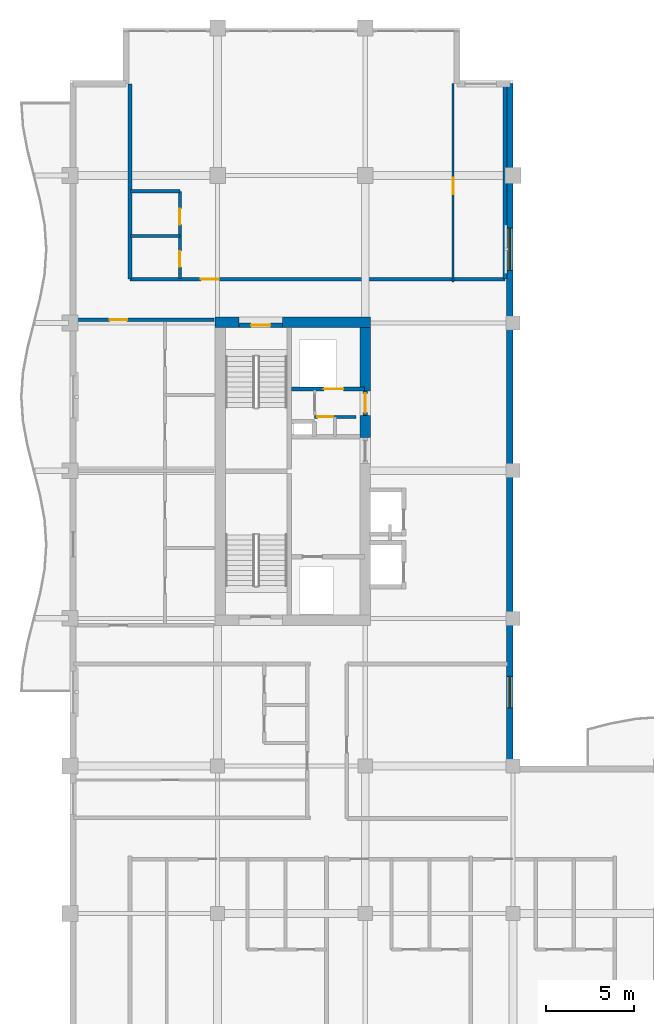
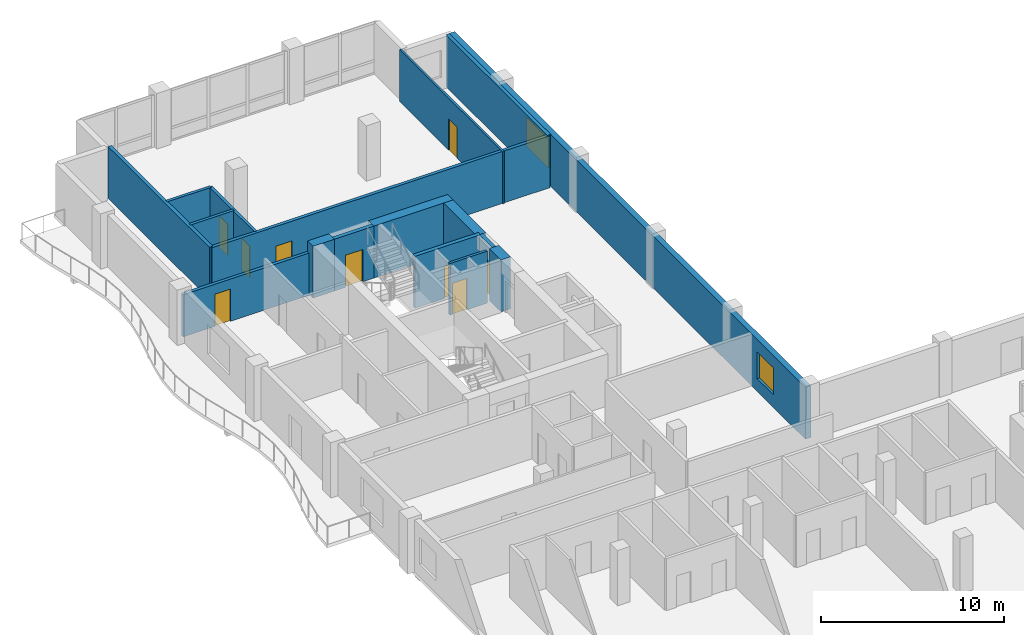
# One storey, part 10 of 16: 17 walls, 9 doors, 2 windows, 11 openings.
"""IFC4 building model written with IfcOpenShell, lengths in metres."""

from ifc_helpers import new_model, si_unit, direction, frame, frame_2d, origin, place, context, subcontext, project, spatial, rectangle, extrude, material, layer, layer_set, type_object, element, fill, save


model = new_model("IFC4")

# Units and contexts
model_context = context("Model", 3, precision=1e-05, world=origin(), true_north=direction((0.0, 1.0)))
body_context = subcontext(model_context, "Body", "Model", "MODEL_VIEW")
ifc_project = project(units=[si_unit("LENGTHUNIT", "METRE"), si_unit("AREAUNIT", "SQUARE_METRE"), si_unit("VOLUMEUNIT", "CUBIC_METRE"), si_unit("PLANEANGLEUNIT", "RADIAN"), si_unit("MASSUNIT", "GRAM", prefix="KILO")], contexts=[model_context])

# Site, building, storey
site_placement = place(None, origin())
site = spatial("IfcSite", under=ifc_project, at=site_placement, CompositionType="ELEMENT")
building_placement = place(site_placement, origin())
building = spatial("IfcBuilding", under=site, at=building_placement, Name="Koriwani Terraces Tower", CompositionType="ELEMENT")
storey_placement = place(building_placement, frame((0.0, 0.0, 252.699951171875)))
storey = spatial("IfcBuildingStorey", under=building, at=storey_placement, Name="L62", CompositionType="ELEMENT", Elevation=252.699951171875)

# Walls
ifc_material_1 = material(Name="Concrete C60/75", Category="concrete")
ifc_layer_1 = layer(ifc_material_1, 0.60009765625, Name="Concrete C60/75")
ifc_layer_set_1 = layer_set([ifc_layer_1], Name="Concrete C60/75")
wall_type_1 = type_object("IfcWallType", Name="WALL_CORE_RC_600", PredefinedType="SHEAR", material=ifc_layer_set_1)
wall_1_placement = place(storey_placement, frame((16.64990234375, 58.85009765625, 0.0), z_axis=(0.0, 0.0, 1.0), x_axis=(1.0, 0.0, 0.0)))
element("IfcWall", 1, at=wall_1_placement, inside=storey, type_object=wall_type_1, Name="L62 West Split Core Shear Wall N1", PredefinedType="SHEAR", context=body_context, shape_type="SweptSolid", body=[
    extrude(rectangle(XDim=1.35009765625, YDim=0.60009765625, at=frame_2d((0.675048828125, 0.0))), origin(), (0.0, 0.0, 1.0), 3.469970703125),
])
wall_2_placement = place(storey_placement, frame((20.5, 58.85009765625, 0.0), z_axis=(0.0, 0.0, 1.0), x_axis=(1.0, 0.0, 0.0)))
element("IfcWall", 2, at=wall_2_placement, inside=storey, type_object=wall_type_1, Name="L62 West Split Core Shear Wall N2", PredefinedType="SHEAR", context=body_context, shape_type="SweptSolid", body=[
    extrude(rectangle(XDim=5.0, YDim=0.60009765625, at=frame_2d((2.5, 0.0))), origin(), (0.0, 0.0, 1.0), 3.469970703125),
])
wall_3_placement = place(storey_placement, frame((25.199951171875, 52.280029296875, 0.0), z_axis=(0.0, 0.0, 1.0), x_axis=(0.0, 1.0, 0.0)))
element("IfcWall", 3, at=wall_3_placement, inside=storey, type_object=wall_type_1, Name="L62 West Split Core Shear Wall E2", PredefinedType="SHEAR", context=body_context, shape_type="SweptSolid", body=[
    extrude(rectangle(XDim=1.27001953125, YDim=0.60009765625, at=frame_2d((0.635009765625, 0.0))), origin(), (0.0, 0.0, 1.0), 3.469970703125),
])
wall_4_placement = place(storey_placement, frame((25.199951171875, 54.949951171875, 0.0), z_axis=(0.0, 0.0, 1.0), x_axis=(0.0, 1.0, 0.0)))
element("IfcWall", 4, at=wall_4_placement, inside=storey, type_object=wall_type_1, Name="L62 West Split Core Shear Wall E3", PredefinedType="SHEAR", context=body_context, shape_type="SweptSolid", body=[
    extrude(rectangle(XDim=3.60009765625, YDim=0.60009765625, at=frame_2d((1.800048828125, 0.0))), origin(), (0.0, 0.0, 1.0), 3.469970703125),
])

# Wall, opening, door
ifc_material_2 = material(Name="Autoclaved Cellular Concrete Blockwork", Category="masonry")
ifc_layer_2 = layer(ifc_material_2, 0.199951171875, Name="Autoclaved Cellular Concrete Blockwork")
ifc_layer_set_2 = layer_set([ifc_layer_2], Name="Autoclaved Cellular Concrete Blockwork")
wall_type_2 = type_object("IfcWallType", Name="WALL_CORRIDOR_200", PredefinedType="PARTITIONING", material=ifc_layer_set_2)
wall_5_placement = place(storey_placement, frame((8.64990234375, 59.0, 0.0), z_axis=(0.0, 0.0, 1.0), x_axis=(1.0, 0.0, 0.0)))
wall_5 = element("IfcWall", 5, at=wall_5_placement, inside=storey, type_object=wall_type_2, Name="L62 Interior Wall WRZ4-WN-L62", PredefinedType="PARTITIONING", context=body_context, shape_type="SweptSolid", body=[
    extrude(rectangle(XDim=7.9501953125, YDim=0.199951171875, at=frame_2d((3.97509765625, 0.0))), origin(), (0.0, 0.0, 1.0), 2.820068359375),
])
opening_1_placement = place(wall_5_placement, frame((2.0, 0.0, 0.0)))
opening_1 = element("IfcOpeningElement", 6, at=opening_1_placement, cuts=wall_5, Name="Opening D-05", PredefinedType="OPENING", context=body_context, shape_type="SweptSolid", body=[
    extrude(rectangle(XDim=1.0, YDim=2.14990234375, at=frame_2d((0.5, 1.074951171875))), frame((0.0, 0.10986328125, 0.0), z_axis=(0.0, -1.0, 0.0), x_axis=(1.0, 0.0, 0.0)), (0.0, 0.0, 1.0), 0.219970703125),
])
ifc_material_3 = material(Name="Architectural Oak Fire Door", Category="wood")
door_type_1 = type_object("IfcDoorType", Name="DOOR_SUITE_ENTRY_1000X2150", OperationType="NOTDEFINED", PredefinedType="DOOR", material=ifc_material_3)
door_1_placement = place(opening_1_placement, origin())
door_1 = element("IfcDoor", 7, at=door_1_placement, inside=storey, type_object=door_type_1, Name="Apartment 62RW2 Entrance Door", OperationType="SINGLE_SWING_RIGHT", OverallHeight=2.14990234375, OverallWidth=1.0, PredefinedType="DOOR", context=body_context, shape_type="SweptSolid", body=[
    extrude(rectangle(XDim=1.0, YDim=2.14990234375, at=frame_2d((0.5, 1.074951171875))), frame((0.0, 0.02490234375, 0.0), z_axis=(0.0, -1.0, 0.0), x_axis=(1.0, 0.0, 0.0)), (0.0, 0.0, 1.0), 0.050048828125),
])
fill(opening_1, door_1)

wall_6_placement = place(storey_placement, frame((11.800048828125, 61.300048828125, 0.0), z_axis=(0.0, 0.0, 1.0), x_axis=(1.0, 0.0, 0.0)))
wall_6 = element("IfcWall", 8, at=wall_6_placement, inside=storey, type_object=wall_type_2, Name="L62 Interior Wall WGB-L62-NT-S", PredefinedType="PARTITIONING", context=body_context, shape_type="SweptSolid", body=[
    extrude(rectangle(XDim=21.349853515625, YDim=0.199951171875, at=frame_2d((10.6748046875, 0.0))), origin(), (0.0, 0.0, 1.0), 3.469970703125),
])
opening_2_placement = place(wall_6_placement, frame((4.050048828125, 0.0, 0.0)))
opening_2 = element("IfcOpeningElement", 9, at=opening_2_placement, cuts=wall_6, Name="Opening D-05", PredefinedType="OPENING", context=body_context, shape_type="SweptSolid", body=[
    extrude(rectangle(XDim=1.0, YDim=2.14990234375, at=frame_2d((0.5, 1.074951171875))), frame((0.0, 0.10986328125, 0.0), z_axis=(0.0, -1.0, 0.0), x_axis=(1.0, 0.0, 0.0)), (0.0, 0.0, 1.0), 0.219970703125),
])
door_2_placement = place(opening_2_placement, origin())
door_2 = element("IfcDoor", 10, at=door_2_placement, inside=storey, type_object=door_type_1, Name="Apartment 62NT Entrance Door", OperationType="SINGLE_SWING_LEFT", OverallHeight=2.14990234375, OverallWidth=1.0, PredefinedType="DOOR", context=body_context, shape_type="SweptSolid", body=[
    extrude(rectangle(XDim=1.0, YDim=2.14990234375, at=frame_2d((0.5, 1.074951171875))), frame((0.0, 0.02490234375, 0.0), z_axis=(0.0, -1.0, 0.0), x_axis=(1.0, 0.0, 0.0)), (0.0, 0.0, 1.0), 0.050048828125),
])
fill(opening_2, door_2)

# Walls
ifc_layer_3 = layer(ifc_material_2, 0.219970703125, Name="Autoclaved Cellular Concrete Blockwork")
ifc_layer_set_3 = layer_set([ifc_layer_3], Name="Autoclaved Cellular Concrete Blockwork")
wall_type_3 = type_object("IfcWallType", Name="WALL_DEMISING_220", PredefinedType="PARTITIONING", material=ifc_layer_set_3)
for number, where, z_axis, x_axis, name in (
    (11, (33.14990234375, 61.300048828125, 0.0), (0.0, 0.0, 1.0), (0.0, 1.0, 0.0), "L62 Interior Wall WGB-L62-NT-E"),
    (12, (11.800048828125, 61.300048828125, 0.0), (0.0, 0.0, 1.0), (0.0, 1.0, 0.0), "L62 Interior Wall WGB-L62-NT-W"),
):
    element("IfcWall", number, at=place(storey_placement, frame(where, z_axis=z_axis, x_axis=x_axis)), inside=storey, type_object=wall_type_3, Name=name, PredefinedType="PARTITIONING", context=body_context, shape_type="SweptSolid", body=[
        extrude(rectangle(XDim=11.099853515625, YDim=0.219970703125, at=frame_2d((5.5498046875, 0.0))), origin(), (0.0, 0.0, 1.0), 3.469970703125),
    ])

# Wall, openings, windows
ifc_material_4 = material(Name="Concrete C50/60", Category="concrete")
ifc_layer_4 = layer(ifc_material_4, 0.35009765625, Name="Concrete C50/60")
ifc_layer_set_4 = layer_set([ifc_layer_4], Name="Concrete C50/60")
wall_type_4 = type_object("IfcWallType", Name="WALL_EXT_BRUTALIST_350", PredefinedType="STANDARD", material=ifc_layer_set_4)
wall_7_placement = place(storey_placement, frame((33.425048828125, 72.425048828125, 0.0), z_axis=(0.0, 0.0, 1.0), x_axis=(0.0, -1.0, 0.0)))
wall_7 = element("IfcWall", 13, at=wall_7_placement, inside=storey, type_object=wall_type_4, Name="L62 Fair-Faced Brutalist Exterior Wall (NW_IN)", PredefinedType="STANDARD", context=body_context, shape_type="SweptSolid", body=[
    extrude(rectangle(XDim=39.0, YDim=0.35009765625, at=frame_2d((19.5, 0.0))), origin(), (0.0, 0.0, 1.0), 3.469970703125),
])
opening_3_placement = place(wall_7_placement, frame((33.72509765625, 0.0, 0.85009765625)))
opening_3 = element("IfcOpeningElement", 14, at=opening_3_placement, cuts=wall_7, Name="Opening W-04", PredefinedType="OPENING", context=body_context, shape_type="SweptSolid", body=[
    extrude(rectangle(XDim=1.800048828125, YDim=1.800048828125, at=frame_2d((0.89990234375, 0.89990234375))), frame((0.0, 0.18505859375, 0.0), z_axis=(0.0, -1.0, 0.0), x_axis=(1.0, 0.0, 0.0)), (0.0, 0.0, 1.0), 0.3701171875),
])
opening_4_placement = place(wall_7_placement, frame((8.22509765625, 0.0, 0.85009765625)))
opening_4 = element("IfcOpeningElement", 15, at=opening_4_placement, cuts=wall_7, Name="Opening W-03", PredefinedType="OPENING", context=body_context, shape_type="SweptSolid", body=[
    extrude(rectangle(XDim=2.39990234375, YDim=1.949951171875, at=frame_2d((1.199951171875, 0.97509765625))), frame((0.0, 0.18505859375, 0.0), z_axis=(0.0, -1.0, 0.0), x_axis=(1.0, 0.0, 0.0)), (0.0, 0.0, 1.0), 0.3701171875),
])
ifc_material_5 = material(Name="Tempered Laminated Low-E Glass", Category="glass")
window_type_1 = type_object("IfcWindowType", Name="WIN_RES_BED_1800X1800", PartitioningType="DOUBLE_PANEL_VERTICAL", PredefinedType="WINDOW", material=ifc_material_5)
window_1_placement = place(opening_3_placement, origin())
window_1 = element("IfcWindow", 16, at=window_1_placement, inside=storey, type_object=window_type_1, Name="L62 Exterior Window (NW_IN-2)", OverallHeight=1.800048828125, OverallWidth=1.800048828125, PartitioningType="SINGLE_PANEL", PredefinedType="WINDOW", context=body_context, shape_type="SweptSolid", body=[
    extrude(rectangle(XDim=1.800048828125, YDim=1.800048828125, at=frame_2d((0.89990234375, 0.89990234375))), frame((0.0, 0.030029296875, 0.0), z_axis=(0.0, -1.0, 0.0), x_axis=(1.0, 0.0, 0.0)), (0.0, 0.0, 1.0), 0.06005859375),
])
fill(opening_3, window_1)
window_type_2 = type_object("IfcWindowType", Name="WIN_RES_LIVING_2400X1950", PartitioningType="DOUBLE_PANEL_VERTICAL", PredefinedType="WINDOW", material=ifc_material_5)
window_2_placement = place(opening_4_placement, origin())
window_2 = element("IfcWindow", 17, at=window_2_placement, inside=storey, type_object=window_type_2, Name="L62 Exterior Window (NW_IN-11)", OverallHeight=1.949951171875, OverallWidth=2.39990234375, PartitioningType="SINGLE_PANEL", PredefinedType="WINDOW", context=body_context, shape_type="SweptSolid", body=[
    extrude(rectangle(XDim=2.39990234375, YDim=1.949951171875, at=frame_2d((1.199951171875, 0.97509765625))), frame((0.0, 0.030029296875, 0.0), z_axis=(0.0, -1.0, 0.0), x_axis=(1.0, 0.0, 0.0)), (0.0, 0.0, 1.0), 0.06005859375),
])
fill(opening_4, window_2)

# Wall, opening, door
ifc_material_6 = material(Name="Fire-Rated Acoustic Gypsum Partition", Category="masonry")
ifc_layer_5 = layer(ifc_material_6, 0.125, Name="Fire-Rated Acoustic Gypsum Partition")
ifc_layer_set_5 = layer_set([ifc_layer_5], Name="Fire-Rated Acoustic Gypsum Partition")
wall_type_5 = type_object("IfcWallType", Name="WALL_INT_125", PredefinedType="PARTITIONING", material=ifc_layer_set_5)
wall_8_placement = place(storey_placement, frame((30.199951171875, 61.14990234375, 0.0), z_axis=(0.0, 0.0, 1.0), x_axis=(0.0, 1.0, 0.0)))
wall_8 = element("IfcWall", 18, at=wall_8_placement, inside=storey, type_object=wall_type_5, Name="L62 Interior Wall WGB-L62-NT-BD", PredefinedType="PARTITIONING", context=body_context, shape_type="SweptSolid", body=[
    extrude(rectangle(XDim=11.300048828125, YDim=0.125, at=frame_2d((5.64990234375, 0.0))), origin(), (0.0, 0.0, 1.0), 3.469970703125),
])
opening_5_placement = place(wall_8_placement, frame((4.9951171875, 0.0, 0.0)))
opening_5 = element("IfcOpeningElement", 19, at=opening_5_placement, cuts=wall_8, Name="Opening D-06", PredefinedType="OPENING", context=body_context, shape_type="SweptSolid", body=[
    extrude(rectangle(XDim=0.919921875, YDim=2.10009765625, at=frame_2d((0.4599609375, 1.050048828125))), frame((0.0, 0.072509765625, 0.0), z_axis=(0.0, -1.0, 0.0), x_axis=(1.0, 0.0, 0.0)), (0.0, 0.0, 1.0), 0.14501953125),
])
door_type_2 = type_object("IfcDoorType", Name="DOOR_ROOM_INT_920X2100", OperationType="NOTDEFINED", PredefinedType="DOOR", material=ifc_material_3)
door_3_placement = place(opening_5_placement, origin())
door_3 = element("IfcDoor", 20, at=door_3_placement, inside=storey, type_object=door_type_2, Name="Apartment 62NT Master Suite Door", OperationType="SINGLE_SWING_RIGHT", OverallHeight=2.10009765625, OverallWidth=0.919921875, PredefinedType="DOOR", context=body_context, shape_type="SweptSolid", body=[
    extrude(rectangle(XDim=0.919921875, YDim=2.10009765625, at=frame_2d((0.4599609375, 1.050048828125))), frame((0.0, 0.02490234375, 0.0), z_axis=(0.0, -1.0, 0.0), x_axis=(1.0, 0.0, 0.0)), (0.0, 0.0, 1.0), 0.050048828125),
])
fill(opening_5, door_3)

# Wall, openings, doors
ifc_layer_6 = layer(ifc_material_6, 0.179931640625, Name="Fire-Rated Acoustic Gypsum Partition")
ifc_layer_set_6 = layer_set([ifc_layer_6], Name="Fire-Rated Acoustic Gypsum Partition")
wall_type_6 = type_object("IfcWallType", Name="WALL_PLUMBING_180", PredefinedType="PLUMBINGWALL", material=ifc_layer_set_6)
wall_9_placement = place(storey_placement, frame((14.64990234375, 61.35009765625, 0.0), z_axis=(0.0, 0.0, 1.0), x_axis=(0.0, 1.0, 0.0)))
wall_9 = element("IfcWall", 21, at=wall_9_placement, inside=storey, type_object=wall_type_6, Name="L62 Interior Wall WGB-L62-NT-SVB", PredefinedType="PLUMBINGWALL", context=body_context, shape_type="SweptSolid", body=[
    extrude(rectangle(XDim=4.949951171875, YDim=0.179931640625, at=frame_2d((2.47509765625, 0.0))), origin(), (0.0, 0.0, 1.0), 3.469970703125),
])
opening_6_placement = place(wall_9_placement, frame((0.64990234375, 0.0, 0.0)))
opening_6 = element("IfcOpeningElement", 22, at=opening_6_placement, cuts=wall_9, Name="Opening D-07", PredefinedType="OPENING", context=body_context, shape_type="SweptSolid", body=[
    extrude(rectangle(XDim=0.89990234375, YDim=2.10009765625, at=frame_2d((0.449951171875, 1.050048828125))), frame((0.0, 0.10009765625, 0.0), z_axis=(0.0, -1.0, 0.0), x_axis=(1.0, 0.0, 0.0)), (0.0, 0.0, 1.0), 0.199951171875),
])
opening_7_placement = place(wall_9_placement, frame((3.050048828125, 0.0, 0.0)))
opening_7 = element("IfcOpeningElement", 23, at=opening_7_placement, cuts=wall_9, Name="Opening D-06", PredefinedType="OPENING", context=body_context, shape_type="SweptSolid", body=[
    extrude(rectangle(XDim=0.919921875, YDim=2.10009765625, at=frame_2d((0.4599609375, 1.050048828125))), frame((0.0, 0.10009765625, 0.0), z_axis=(0.0, -1.0, 0.0), x_axis=(1.0, 0.0, 0.0)), (0.0, 0.0, 1.0), 0.199951171875),
])
door_type_3 = type_object("IfcDoorType", Name="DOOR_BATH_INT_900X2100", OperationType="NOTDEFINED", PredefinedType="DOOR", material=ifc_material_3)
door_4_placement = place(opening_6_placement, origin())
door_4 = element("IfcDoor", 24, at=door_4_placement, inside=storey, type_object=door_type_3, Name="Apartment 62NT Bathroom Door", OperationType="SINGLE_SWING_RIGHT", OverallHeight=2.10009765625, OverallWidth=0.89990234375, PredefinedType="DOOR", context=body_context, shape_type="SweptSolid", body=[
    extrude(rectangle(XDim=0.89990234375, YDim=2.10009765625, at=frame_2d((0.449951171875, 1.050048828125))), frame((0.0, 0.02490234375, 0.0), z_axis=(0.0, -1.0, 0.0), x_axis=(1.0, 0.0, 0.0)), (0.0, 0.0, 1.0), 0.050048828125),
])
fill(opening_6, door_4)
door_5_placement = place(opening_7_placement, origin())
door_5 = element("IfcDoor", 25, at=door_5_placement, inside=storey, type_object=door_type_2, Name="Apartment 62NT Kitchen Door", OperationType="SINGLE_SWING_LEFT", OverallHeight=2.10009765625, OverallWidth=0.919921875, PredefinedType="DOOR", context=body_context, shape_type="SweptSolid", body=[
    extrude(rectangle(XDim=0.919921875, YDim=2.10009765625, at=frame_2d((0.4599609375, 1.050048828125))), frame((0.0, 0.02490234375, 0.0), z_axis=(0.0, -1.0, 0.0), x_axis=(1.0, 0.0, 0.0)), (0.0, 0.0, 1.0), 0.050048828125),
])
fill(opening_7, door_5)

# Walls
for number, where, z_axis, x_axis, name in (
    (26, (11.85009765625, 63.75, 0.0), (0.0, 0.0, 1.0), (1.0, 0.0, 0.0), "L62 Interior Wall WGB-L62-NT-SVM"),
    (27, (11.85009765625, 66.300048828125, 0.0), (0.0, 0.0, 1.0), (1.0, 0.0, 0.0), "L62 Interior Wall WGB-L62-NT-SV2"),
):
    element("IfcWall", number, at=place(storey_placement, frame(where, z_axis=z_axis, x_axis=x_axis)), inside=storey, type_object=wall_type_6, Name=name, PredefinedType="PLUMBINGWALL", context=body_context, shape_type="SweptSolid", body=[
        extrude(rectangle(XDim=2.7998046875, YDim=0.179931640625, at=frame_2d((1.39990234375, 0.0))), origin(), (0.0, 0.0, 1.0), 3.469970703125),
    ])

# Wall, opening, door
ifc_material_7 = material(Name="Concrete C40/50", Category="concrete")
ifc_layer_7 = layer(ifc_material_7, 0.25, Name="Concrete C40/50")
ifc_layer_set_7 = layer_set([ifc_layer_7], Name="Concrete C40/50")
wall_type_7 = type_object("IfcWallType", Name="WALL_SHAFT_RATED_250", PredefinedType="SOLIDWALL", material=ifc_layer_set_7)
wall_10_placement = place(storey_placement, frame((18.0, 58.675048828125, 0.0), z_axis=(0.0, 0.0, 1.0), x_axis=(1.0, 0.0, 0.0)))
wall_10 = element("IfcWall", 28, at=wall_10_placement, inside=storey, type_object=wall_type_7, Name="L62 Interior Wall WIN-CW-L62-STN", PredefinedType="SOLIDWALL", context=body_context, shape_type="SweptSolid", body=[
    extrude(rectangle(XDim=2.5, YDim=0.25, at=frame_2d((1.25, 0.0))), origin(), (0.0, 0.0, 1.0), 3.469970703125),
])
opening_8_placement = place(wall_10_placement, frame((0.699951171875, 0.0, 0.0)))
opening_8 = element("IfcOpeningElement", 29, at=opening_8_placement, cuts=wall_10, Name="Opening D-03", PredefinedType="OPENING", context=body_context, shape_type="SweptSolid", body=[
    extrude(rectangle(XDim=1.10009765625, YDim=2.14990234375, at=frame_2d((0.550048828125, 1.074951171875))), frame((0.0, 0.135009765625, 0.0), z_axis=(0.0, -1.0, 0.0), x_axis=(1.0, 0.0, 0.0)), (0.0, 0.0, 1.0), 0.27001953125),
])
ifc_material_8 = material(Name="Steel ASTM A572 Grade 50", Category="steel")
door_type_4 = type_object("IfcDoorType", Name="DOOR_STAIR_FIRE_1100X2150", OperationType="NOTDEFINED", PredefinedType="DOOR", material=ifc_material_8)
door_6_placement = place(opening_8_placement, origin())
door_6 = element("IfcDoor", 30, at=door_6_placement, inside=storey, type_object=door_type_4, Name="L62 Exit Stair ST-W2 Door", OperationType="SINGLE_SWING_LEFT", OverallHeight=2.14990234375, OverallWidth=1.10009765625, PredefinedType="DOOR", context=body_context, shape_type="SweptSolid", body=[
    extrude(rectangle(XDim=1.10009765625, YDim=2.14990234375, at=frame_2d((0.550048828125, 1.074951171875))), frame((0.0, 0.02490234375, 0.0), z_axis=(0.0, -1.0, 0.0), x_axis=(1.0, 0.0, 0.0)), (0.0, 0.0, 1.0), 0.050048828125),
])
fill(opening_8, door_6)

wall_11_placement = place(storey_placement, frame((21.0, 55.050048828125, 0.0), z_axis=(0.0, 0.0, 1.0), x_axis=(1.0, 0.0, 0.0)))
wall_11 = element("IfcWall", 31, at=wall_11_placement, inside=storey, type_object=wall_type_7, Name="L62 Interior Wall WIN-CW-L62-SE", PredefinedType="SOLIDWALL", context=body_context, shape_type="SweptSolid", body=[
    extrude(rectangle(XDim=4.14990234375, YDim=0.25, at=frame_2d((2.074951171875, 0.0))), origin(), (0.0, 0.0, 1.0), 3.469970703125),
])
opening_9_placement = place(wall_11_placement, frame((1.85009765625, 0.0, 0.0)))
opening_9 = element("IfcOpeningElement", 32, at=opening_9_placement, cuts=wall_11, Name="Opening LD-01", PredefinedType="OPENING", context=body_context, shape_type="SweptSolid", body=[
    extrude(rectangle(XDim=1.10009765625, YDim=2.14990234375, at=frame_2d((0.550048828125, 1.074951171875))), frame((0.0, 0.135009765625, 0.0), z_axis=(0.0, -1.0, 0.0), x_axis=(1.0, 0.0, 0.0)), (0.0, 0.0, 1.0), 0.27001953125),
])
door_type_5 = type_object("IfcDoorType", Name="DOOR_LIFT_LANDING_1100X2200", OperationType="NOTDEFINED", PredefinedType="DOOR", material=ifc_material_8)
door_7_placement = place(opening_9_placement, origin())
door_7 = element("IfcDoor", 33, at=door_7_placement, inside=storey, type_object=door_type_5, Name="L62 Goods Lift SE-01 Landing Door", OperationType="SLIDING_TO_LEFT", OverallHeight=2.14990234375, OverallWidth=1.10009765625, PredefinedType="DOOR", context=body_context, shape_type="SweptSolid", body=[
    extrude(rectangle(XDim=1.10009765625, YDim=2.14990234375, at=frame_2d((0.550048828125, 1.074951171875))), frame((0.0, 0.02490234375, 0.0), z_axis=(0.0, -1.0, 0.0), x_axis=(1.0, 0.0, 0.0)), (0.0, 0.0, 1.0), 0.050048828125),
])
fill(opening_9, door_7)

wall_12_placement = place(storey_placement, frame((25.199951171875, 53.550048828125, 0.0), z_axis=(0.0, 0.0, 1.0), x_axis=(0.0, 1.0, 0.0)))
wall_12 = element("IfcWall", 34, at=wall_12_placement, inside=storey, type_object=wall_type_7, Name="L62 Interior Wall WIN-CW-L62-EP2", PredefinedType="SOLIDWALL", context=body_context, shape_type="SweptSolid", body=[
    extrude(rectangle(XDim=1.39990234375, YDim=0.25, at=frame_2d((0.699951171875, 0.0))), origin(), (0.0, 0.0, 1.0), 3.469970703125),
])
opening_10_placement = place(wall_12_placement, frame((0.14990234375, 0.0, 0.0)))
opening_10 = element("IfcOpeningElement", 35, at=opening_10_placement, cuts=wall_12, Name="Opening D-03", PredefinedType="OPENING", context=body_context, shape_type="SweptSolid", body=[
    extrude(rectangle(XDim=1.10009765625, YDim=2.14990234375, at=frame_2d((0.550048828125, 1.074951171875))), frame((0.0, 0.135009765625, 0.0), z_axis=(0.0, -1.0, 0.0), x_axis=(1.0, 0.0, 0.0)), (0.0, 0.0, 1.0), 0.27001953125),
])
door_8_placement = place(opening_10_placement, origin())
door_8 = element("IfcDoor", 36, at=door_8_placement, inside=storey, type_object=door_type_4, Name="L62 West Goods Lift Lobby Door", OperationType="SINGLE_SWING_LEFT", OverallHeight=2.14990234375, OverallWidth=1.10009765625, PredefinedType="DOOR", context=body_context, shape_type="SweptSolid", body=[
    extrude(rectangle(XDim=1.10009765625, YDim=2.14990234375, at=frame_2d((0.550048828125, 1.074951171875))), frame((0.0, 0.02490234375, 0.0), z_axis=(0.0, -1.0, 0.0), x_axis=(1.0, 0.0, 0.0)), (0.0, 0.0, 1.0), 0.050048828125),
])
fill(opening_10, door_8)

ifc_layer_8 = layer(ifc_material_6, 0.159912109375, Name="Fire-Rated Acoustic Gypsum Partition")
ifc_layer_set_8 = layer_set([ifc_layer_8], Name="Fire-Rated Acoustic Gypsum Partition")
wall_type_8 = type_object("IfcWallType", Name="WALL_SUITE_160", PredefinedType="PARTITIONING", material=ifc_layer_set_8)
wall_13_placement = place(storey_placement, frame((22.320068359375, 53.4599609375, 0.0), z_axis=(0.0, 0.0, 1.0), x_axis=(1.0, 0.0, 0.0)))
wall_13 = element("IfcWall", 37, at=wall_13_placement, inside=storey, type_object=wall_type_8, Name="L62 Interior Wall WIN-CW-L62-SV2H", PredefinedType="PARTITIONING", context=body_context, shape_type="SweptSolid", body=[
    extrude(rectangle(XDim=2.35986328125, YDim=0.159912109375, at=frame_2d((1.179931640625, 0.0))), origin(), (0.0, 0.0, 1.0), 3.469970703125),
])
opening_11_placement = place(wall_13_placement, frame((0.159912109375, 0.0, 0.0)))
opening_11 = element("IfcOpeningElement", 38, at=opening_11_placement, cuts=wall_13, Name="Opening D-07", PredefinedType="OPENING", context=body_context, shape_type="SweptSolid", body=[
    extrude(rectangle(XDim=0.89990234375, YDim=2.10009765625, at=frame_2d((0.449951171875, 1.050048828125))), frame((0.0, 0.08984375, 0.0), z_axis=(0.0, -1.0, 0.0), x_axis=(1.0, 0.0, 0.0)), (0.0, 0.0, 1.0), 0.179931640625),
])
door_9_placement = place(opening_11_placement, origin())
door_9 = element("IfcDoor", 39, at=door_9_placement, inside=storey, type_object=door_type_3, Name="L62 West Valve Room Door", OperationType="SINGLE_SWING_LEFT", OverallHeight=2.10009765625, OverallWidth=0.89990234375, PredefinedType="DOOR", context=body_context, shape_type="SweptSolid", body=[
    extrude(rectangle(XDim=0.89990234375, YDim=2.10009765625, at=frame_2d((0.449951171875, 1.050048828125))), frame((0.0, 0.02490234375, 0.0), z_axis=(0.0, -1.0, 0.0), x_axis=(1.0, 0.0, 0.0)), (0.0, 0.0, 1.0), 0.050048828125),
])
fill(opening_11, door_9)

save(model, "model.ifc")
